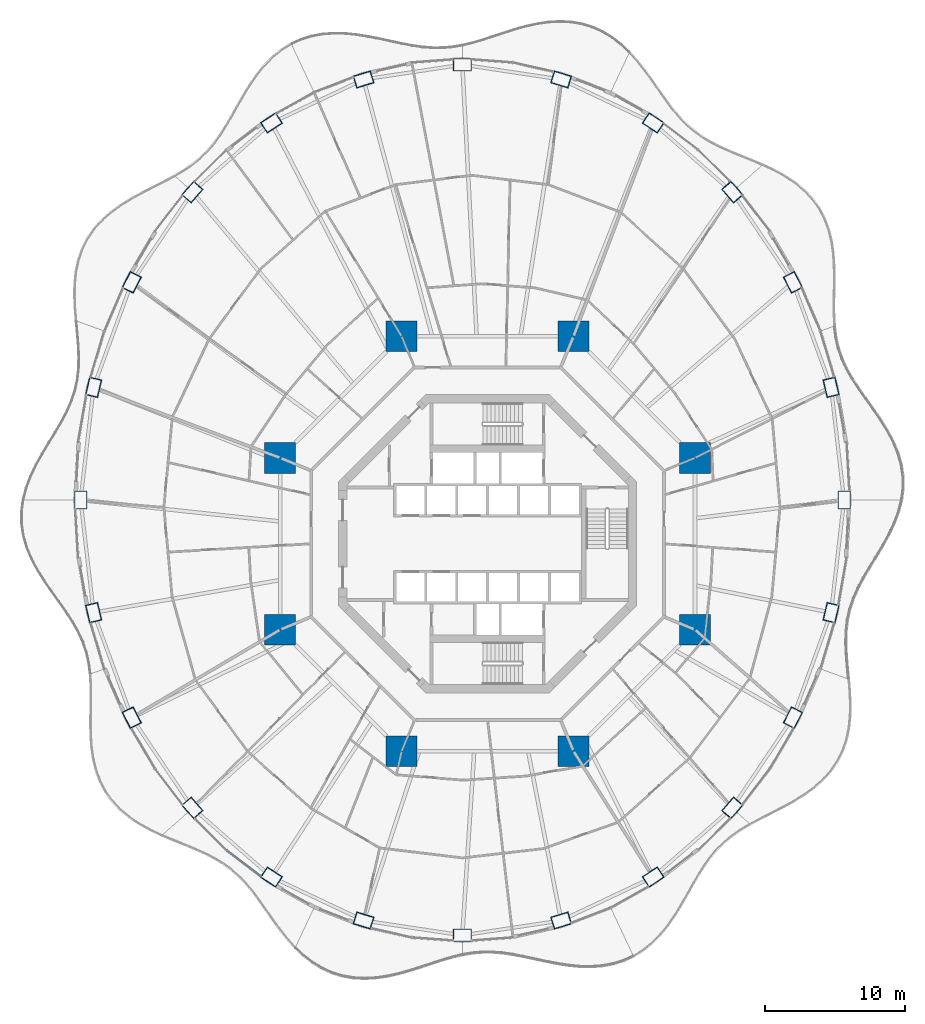
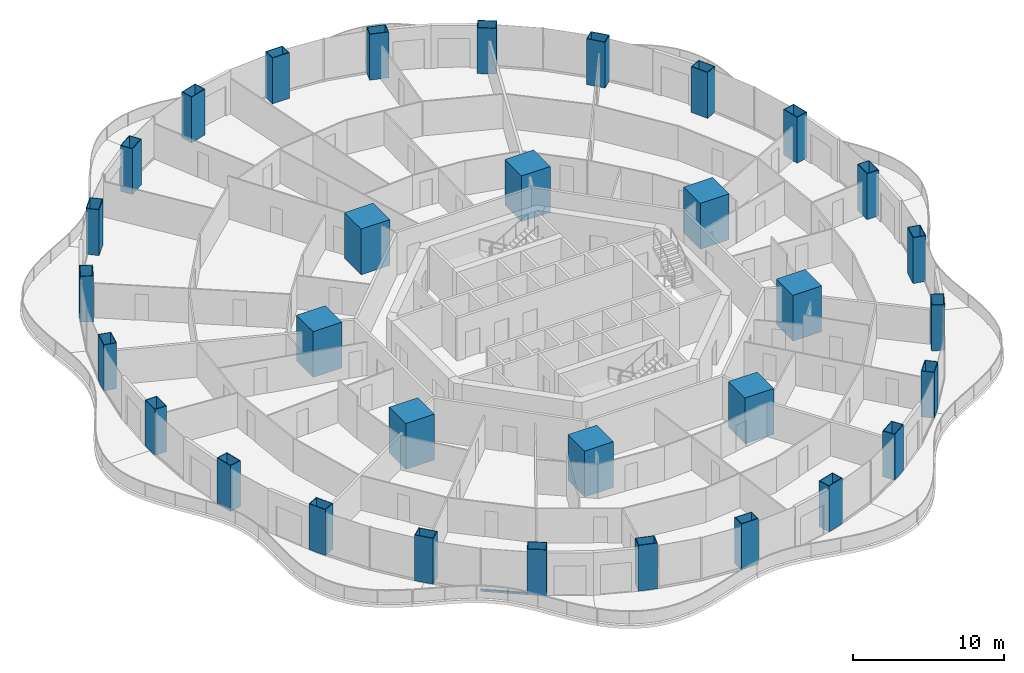
# One storey, part 1 of 22: 32 columns, 1 member, 1 element without a shape of its own.
"""IFC4 building model written with IfcOpenShell, lengths in metres."""

import ifcopenshell
import ifcopenshell.guid

model = None  # the IFC model being written
_history = None  # IfcOwnerHistory: only IFC2X3 demands one
_inside = {}  # id of a spatial element -> (the spatial element, [elements in it])
_under = {}  # id of a project, library or spatial element -> (it, [spatial elements below it])
_declared = {}  # id of a project -> (the project, [libraries it declares])
_typed = {}  # id of a type object -> (the type object, [elements of that type])
_made_of = {}  # id of a material, layer set ... -> (it, [elements and type objects made of it])


def new_model(schema):
    """Start an empty IFC model of exactly this schema.

    Asked for "IFC4X3", IfcOpenShell would pick the latest addendum, in which some entities
    have other attributes; the version numbers below select the first issue.
    IFC2X3 requires an IfcOwnerHistory on every rooted entity: one is made here for all.
    """
    global model, _history
    if schema == "IFC4X3":
        model = ifcopenshell.file(schema_version=(4, 3, 0, 0))
    else:
        model = ifcopenshell.file(schema=schema)
    _inside.clear()
    _under.clear()
    _declared.clear()
    _typed.clear()
    _made_of.clear()
    _history = None
    if model.schema == "IFC2X3":
        org = make("IfcOrganization", Name="unknown")
        user = make(
            "IfcPersonAndOrganization",
            ThePerson=make("IfcPerson", FamilyName="unknown"),
            TheOrganization=org,
        )
        app = make(
            "IfcApplication",
            ApplicationDeveloper=org,
            Version="unknown",
            ApplicationFullName="unknown",
            ApplicationIdentifier="unknown",
        )
        _history = make(
            "IfcOwnerHistory",
            OwningUser=user,
            OwningApplication=app,
            ChangeAction="ADDED",
            CreationDate=0,
        )
    return model


def make(cls, **values):
    """One entity of the class cls with the attributes given. An attribute that is None is left unset."""
    return model.create_entity(
        cls, **{name: value for name, value in values.items() if value is not None}
    )


def rooted(cls, **values):
    """An entity with a GlobalId (a new one), such as an element, a storey or a relation."""
    return make(cls, GlobalId=ifcopenshell.guid.new(), OwnerHistory=_history, **values)


def si_unit(unit_type, name, prefix=None):
    """IfcSIUnit, for example si_unit("LENGTHUNIT", "METRE", prefix="MILLI")."""
    return make("IfcSIUnit", UnitType=unit_type, Prefix=prefix, Name=name)


def assignment(units):
    """IfcUnitAssignment: the units of a project."""
    return None if units is None else make("IfcUnitAssignment", Units=units)


def point(xyz):
    """IfcCartesianPoint."""
    return None if xyz is None else make("IfcCartesianPoint", Coordinates=xyz)


def direction(xyz):
    """IfcDirection."""
    return None if xyz is None else make("IfcDirection", DirectionRatios=xyz)


def frame(location, z_axis=None, x_axis=None):
    """IfcAxis2Placement3D, a coordinate frame: its origin and axes. An axis left out is left unset."""
    return make(
        "IfcAxis2Placement3D",
        Location=point(location),
        Axis=direction(z_axis),
        RefDirection=direction(x_axis),
    )


def frame_2d(location, x_axis=None):
    """IfcAxis2Placement2D, a coordinate frame in the plane: its origin and x axis."""
    return make(
        "IfcAxis2Placement2D", Location=point(location), RefDirection=direction(x_axis)
    )


def origin():
    """The frame at (0, 0, 0) with its axes left unset."""
    return frame((0.0, 0.0, 0.0))


def origin_2d():
    """The frame at (0, 0) in the plane with its x axis left unset."""
    return frame_2d((0.0, 0.0))


def place(relative_to, where):
    """IfcLocalPlacement: puts the frame where relative to a parent placement (None: the world)."""
    return make(
        "IfcLocalPlacement", PlacementRelTo=relative_to, RelativePlacement=where
    )


def context(
    kind, dimensions, precision=None, world=None, true_north=None, identifier=None
):
    """IfcGeometricRepresentationContext, for example the 3D "Model" context."""
    return make(
        "IfcGeometricRepresentationContext",
        ContextIdentifier=identifier,
        ContextType=kind,
        CoordinateSpaceDimension=dimensions,
        Precision=precision,
        WorldCoordinateSystem=world,
        TrueNorth=true_north,
    )


def subcontext(parent, identifier, kind, view, scale=None):
    """IfcGeometricRepresentationSubContext, for example "Body" below "Model"."""
    return make(
        "IfcGeometricRepresentationSubContext",
        ContextIdentifier=identifier,
        ContextType=kind,
        ParentContext=parent,
        TargetScale=scale,
        TargetView=view,
    )


def project(units=None, contexts=None):
    """IfcProject with its units and contexts."""
    return rooted(
        "IfcProject",
        Name="project",
        RepresentationContexts=contexts,
        UnitsInContext=assignment(units),
    )


def spatial(cls, under=None, at=None, **own):
    """A site, building, storey or space (cls), placed at a placement, below another one or the project."""
    s = rooted(cls, ObjectPlacement=at, **own)
    if under is not None:
        _under.setdefault(under.id(), (under, []))[1].append(s)
    return s


def profile(cls, at=None, kind="AREA", **sizes):
    """A parametric profile (cls). Its sizes go by their IFC names, for example OverallWidth=200.0."""
    return make(cls, ProfileType=kind, Position=at, **sizes)


def rectangle(**sizes):
    """IfcRectangleProfileDef."""
    return profile("IfcRectangleProfileDef", **sizes)


def hollow_rectangle(**sizes):
    """IfcRectangleHollowProfileDef."""
    return profile("IfcRectangleHollowProfileDef", **sizes)


def extrude(swept, where, along, depth):
    """IfcExtrudedAreaSolid: the profile swept, set in the frame where, extruded along a direction by depth."""
    return make(
        "IfcExtrudedAreaSolid",
        SweptArea=swept,
        Position=where,
        ExtrudedDirection=direction(along),
        Depth=depth,
    )


def shape(context_of_items, identifier, shape_type, items):
    """IfcShapeRepresentation: the items that make up one representation, for example the "Body"."""
    return make(
        "IfcShapeRepresentation",
        ContextOfItems=context_of_items,
        RepresentationIdentifier=identifier,
        RepresentationType=shape_type,
        Items=items,
    )


def material(Name=None, Category=None):
    """IfcMaterial."""
    return make("IfcMaterial", Name=Name, Category=Category)


def layer(
    of_material, thickness, ventilated=None, Name=None, Category=None, Priority=None
):
    """IfcMaterialLayer: one layer of a wall or slab, of a material (None: an air gap)."""
    return make(
        "IfcMaterialLayer",
        Material=of_material,
        LayerThickness=thickness,
        IsVentilated=ventilated,
        Name=Name,
        Category=Category,
        Priority=Priority,
    )


def layer_set(layers, Name=None):
    """IfcMaterialLayerSet."""
    return make("IfcMaterialLayerSet", MaterialLayers=layers, LayerSetName=Name)


def material_profile(
    of_material, cross_section, Name=None, Category=None, Priority=None
):
    """IfcMaterialProfile: a cross section and its material."""
    return make(
        "IfcMaterialProfile",
        Name=Name,
        Material=of_material,
        Profile=cross_section,
        Priority=Priority,
        Category=Category,
    )


def profile_set(profiles, Name=None, composite=None):
    """IfcMaterialProfileSet."""
    return make(
        "IfcMaterialProfileSet",
        Name=Name,
        MaterialProfiles=profiles,
        CompositeProfile=composite,
    )


def made_of(thing, what):
    """Note that an element or type object is made of a material, layer set ...; save() writes the relation."""
    if what is not None:
        _made_of.setdefault(what.id(), (what, []))[1].append(thing)
    return thing


def type_object(cls, material=None, **own):
    """A type object (cls), such as IfcWallType, which elements share."""
    return made_of(rooted(cls, **own), material)


def element(
    cls,
    number,
    at=None,
    inside=None,
    cuts=None,
    type_object=None,
    material=None,
    context=None,
    identifier="Body",
    shape_type=None,
    held_by="IfcProductDefinitionShape",
    body=None,
    shapes=None,
    **own,
):
    """One element of the class cls, such as IfcWall. Its Tag is "e" and its number.

    at: its placement. inside: the storey or other place that contains it. cuts: it is an
    opening in that element (IfcRelVoidsElement). A single representation is given by context,
    identifier, shape_type and body (its items); several are given by shapes. held_by: the class
    of the entity that holds the representations. save() writes the other relations.
    """
    e = rooted(cls, Tag="e%d" % number, ObjectPlacement=at, **own)
    if body is not None:
        shapes = [shape(context, identifier, shape_type, body)]
    if shapes is not None:
        e.Representation = make(held_by, Representations=shapes)
    if inside is not None:
        _inside.setdefault(inside.id(), (inside, []))[1].append(e)
    if cuts is not None:
        rooted(
            "IfcRelVoidsElement", RelatingBuildingElement=cuts, RelatedOpeningElement=e
        )
    if type_object is not None:
        _typed.setdefault(type_object.id(), (type_object, []))[1].append(e)
    return made_of(e, material)


def aggregate(whole, parts):
    """IfcRelAggregates: a whole, such as a stair, and the parts it consists of."""
    return rooted("IfcRelAggregates", RelatingObject=whole, RelatedObjects=parts)


def save(model, path):
    """Write the relations noted so far, then the file.

    IfcRelAggregates (storeys below a building ...), IfcRelContainedInSpatialStructure (elements
    in a storey), IfcRelDefinesByType, IfcRelAssociatesMaterial and IfcRelDeclares: one each for
    every whole, place, type object, material and project.
    """
    for whole, parts in _under.values():
        aggregate(whole, parts)
    for where, things in _inside.values():
        rooted(
            "IfcRelContainedInSpatialStructure",
            RelatedElements=things,
            RelatingStructure=where,
        )
    for kind, things in _typed.values():
        rooted("IfcRelDefinesByType", RelatedObjects=things, RelatingType=kind)
    for what, things in _made_of.values():
        rooted("IfcRelAssociatesMaterial", RelatedObjects=things, RelatingMaterial=what)
    for by, libraries in _declared.values():
        rooted("IfcRelDeclares", RelatingContext=by, RelatedDefinitions=libraries)
    model.write(path)


model = new_model("IFC4")

# Units and contexts
model_context = context("Model", 3, precision=1e-05, world=origin(), true_north=direction((0.0, 1.0)))
body_context = subcontext(model_context, "Body", "Model", "MODEL_VIEW")
ifc_project = project(units=[si_unit("LENGTHUNIT", "METRE"), si_unit("AREAUNIT", "SQUARE_METRE"), si_unit("VOLUMEUNIT", "CUBIC_METRE"), si_unit("PLANEANGLEUNIT", "RADIAN"), si_unit("MASSUNIT", "GRAM", prefix="KILO")], contexts=[model_context])

# Site, building, storey
site_placement = place(None, origin())
site = spatial("IfcSite", under=ifc_project, at=site_placement, CompositionType="ELEMENT")
building_placement = place(site_placement, origin())
building = spatial("IfcBuilding", under=site, at=building_placement, Name="Nagisa Residences", CompositionType="ELEMENT")
storey_placement = place(building_placement, frame((0.0, 0.0, 91.800048828125)))
storey = spatial("IfcBuildingStorey", under=building, at=storey_placement, Name="L22", CompositionType="ELEMENT", Elevation=91.800048828125)

# Columns
ifc_material_1 = material(Name="Concrete C80", Category="concrete")
ifc_material_profile_1 = material_profile(ifc_material_1, rectangle(XDim=2.199951171875, YDim=2.199951171875, at=origin_2d()), Name="C80 2200x2200")
ifc_profile_set_1 = profile_set([ifc_material_profile_1], Name="Concrete C80")
column_type_1 = type_object("IfcColumnType", Name="Inner megacolumn C80 2200x2200", PredefinedType="COLUMN", material=ifc_profile_set_1)
for number, where, z_axis, x_axis, name in (
    (1, (14.781982421875, 6.123046875, 0.0), (0.0, 0.0, 1.0), (1.0, 0.0, 0.0), "col:L22:i1"),
    (2, (6.123046875, 14.781982421875, 0.0), (0.0, 0.0, 1.0), (1.0, 0.0, 0.0), "col:L22:i2"),
    (3, (-6.123046875, 14.781982421875, 0.0), (0.0, 0.0, 1.0), (1.0, 0.0, 0.0), "col:L22:i3"),
    (4, (-14.781982421875, 6.123046875, 0.0), (0.0, 0.0, 1.0), (1.0, 0.0, 0.0), "col:L22:i4"),
    (5, (-14.781982421875, -6.123046875, 0.0), (0.0, 0.0, 1.0), (1.0, 0.0, 0.0), "col:L22:i5"),
    (6, (-6.123046875, -14.781982421875, 0.0), (0.0, 0.0, 1.0), (1.0, 0.0, 0.0), "col:L22:i6"),
    (7, (6.123046875, -14.781982421875, 0.0), (0.0, 0.0, 1.0), (1.0, 0.0, 0.0), "col:L22:i7"),
    (8, (14.781982421875, -6.123046875, 0.0), (0.0, 0.0, 1.0), (1.0, 0.0, 0.0), "col:L22:i8"),
):
    element("IfcColumn", number, at=place(storey_placement, frame(where, z_axis=z_axis, x_axis=x_axis)), inside=storey, type_object=column_type_1, Name=name, PredefinedType="COLUMN", context=body_context, shape_type="SweptSolid", body=[
        extrude(rectangle(XDim=2.199951171875, YDim=2.199951171875, at=origin_2d()), origin(), (0.0, 0.0, 1.0), 3.699951171875),
    ])
ifc_material_2 = material(Name="Steel ASTM A572 Gr 50", Category="steel")
ifc_material_profile_2 = material_profile(ifc_material_2, hollow_rectangle(XDim=1.300048828125, YDim=0.89990234375, WallThickness=0.044921875, at=origin_2d()), Name="BX 1300x900x45")
ifc_profile_set_2 = profile_set([ifc_material_profile_2], Name="Steel ASTM A572 Gr 50")
column_type_2 = type_object("IfcColumnType", Name="Perimeter column BX 1300x900x45", PredefinedType="COLUMN", material=ifc_profile_set_2)
for number, where, z_axis, x_axis, name in (
    (9, (25.39501953125, 3.11767578125, 0.0), (0.0, 0.0, 1.0), (0.0, 1.0, 0.0), "col:L22:p00"),
    (10, (24.46826171875, 11.14501953125, 0.0), (0.0, 0.0, 1.0), (-0.229202013103, 0.973378876486, 0.0), "col:L22:p01"),
    (11, (21.75146484375, 18.625244140625, 0.0), (0.0, 0.0, 1.0), (-0.452462697578, 0.891783329795, 0.0), "col:L22:p02"),
    (12, (17.4296875, 25.048583984375, 0.0), (0.0, 0.0, 1.0), (-0.660114607735, 0.751164898445, 0.0), "col:L22:p03"),
    (13, (11.797607421875, 29.9775390625, 0.0), (0.0, 0.0, 1.0), (-0.835766105673, 0.54908561865, 0.0), "col:L22:p04"),
    (14, (5.238525390625, 33.075927734375, 0.0), (0.0, 0.0, 1.0), (-0.956524583408, 0.291651712384, 0.0), "col:L22:p05"),
    (15, (-1.800048828125, 34.1328125, 0.0), (0.0, 0.0, 1.0), (-1.0, 0.0, 0.0), "col:L22:p06"),
    (16, (-8.838623046875, 33.075927734375, 0.0), (0.0, 0.0, 1.0), (-0.956524583408, -0.291651712384, 0.0), "col:L22:p07"),
    (17, (-15.3974609375, 29.9775390625, 0.0), (0.0, 0.0, 1.0), (-0.835766105673, -0.54908561865, 0.0), "col:L22:p08"),
    (18, (-21.02978515625, 25.048583984375, 0.0), (0.0, 0.0, 1.0), (-0.660114607735, -0.751164898445, 0.0), "col:L22:p09"),
    (19, (-25.3515625, 18.625244140625, 0.0), (0.0, 0.0, 1.0), (-0.452462697578, -0.891783329795, 0.0), "col:L22:p10"),
    (20, (-28.068359375, 11.14501953125, 0.0), (0.0, 0.0, 1.0), (-0.229202013103, -0.973378876486, 0.0), "col:L22:p11"),
    (21, (-28.9951171875, 3.11767578125, 0.0), (0.0, 0.0, 1.0), (0.0, -1.0, 0.0), "col:L22:p12"),
    (22, (-28.068359375, -4.90966796875, 0.0), (0.0, 0.0, 1.0), (0.229202013103, -0.973378876486, 0.0), "col:L22:p13"),
    (23, (-25.3515625, -12.389892578125, 0.0), (0.0, 0.0, 1.0), (0.452462697578, -0.891783329795, 0.0), "col:L22:p14"),
    (24, (-21.02978515625, -18.813232421875, 0.0), (0.0, 0.0, 1.0), (0.660114607735, -0.751164898445, 0.0), "col:L22:p15"),
    (25, (-15.3974609375, -23.7421875, 0.0), (0.0, 0.0, 1.0), (0.835766105673, -0.54908561865, 0.0), "col:L22:p16"),
    (26, (-8.838623046875, -26.840576171875, 0.0), (0.0, 0.0, 1.0), (0.956524583408, -0.291651712384, 0.0), "col:L22:p17"),
    (27, (-1.800048828125, -27.897216796875, 0.0), (0.0, 0.0, 1.0), (1.0, 0.0, 0.0), "col:L22:p18"),
    (28, (5.238525390625, -26.840576171875, 0.0), (0.0, 0.0, 1.0), (0.956524583408, 0.291651712384, 0.0), "col:L22:p19"),
    (29, (11.797607421875, -23.7421875, 0.0), (0.0, 0.0, 1.0), (0.835766105673, 0.54908561865, 0.0), "col:L22:p20"),
    (30, (17.4296875, -18.813232421875, 0.0), (0.0, 0.0, 1.0), (0.660114607735, 0.751164898445, 0.0), "col:L22:p21"),
    (31, (21.75146484375, -12.389892578125, 0.0), (0.0, 0.0, 1.0), (0.452462697578, 0.891783329795, 0.0), "col:L22:p22"),
    (32, (24.46826171875, -4.90966796875, 0.0), (0.0, 0.0, 1.0), (0.229202013103, 0.973378876486, 0.0), "col:L22:p23"),
):
    element("IfcColumn", number, at=place(storey_placement, frame(where, z_axis=z_axis, x_axis=x_axis)), inside=storey, type_object=column_type_2, Name=name, PredefinedType="COLUMN", context=body_context, shape_type="SweptSolid", body=[
        extrude(hollow_rectangle(XDim=1.300048828125, YDim=0.89990234375, WallThickness=0.044921875, at=origin_2d()), origin(), (0.0, 0.0, 1.0), 3.699951171875),
    ])

# Curtain wall, member
ifc_material_3 = material(Name="Concrete-coloured aluminium curtain wall system", Category="concrete")
ifc_layer = layer(ifc_material_3, 0.159912109375)
ifc_layer_set = layer_set([ifc_layer], Name="CW1 CURTAIN WALL")
curtain_wall_type = type_object("IfcCurtainWallType", Name="CW1 CURTAIN WALL", PredefinedType="NOTDEFINED", material=ifc_layer_set)
curtain_wall_placement = place(storey_placement, origin())
curtain_wall = element("IfcCurtainWall", 33, at=curtain_wall_placement, inside=storey, type_object=curtain_wall_type, Name="cw:CW1:L22:31", PredefinedType="NOTDEFINED")
ifc_material_4 = material(Name="Concrete-coloured aluminium", Category="concrete")
ifc_material_profile_3 = material_profile(ifc_material_4, rectangle(XDim=0.1201171875, YDim=0.14990234375, at=origin_2d()), Name="CW1 TRANSOM 120x150")
ifc_profile_set_3 = profile_set([ifc_material_profile_3], Name="Concrete-coloured aluminium")
member_type = type_object("IfcMemberType", Name="CW1 TRANSOM 120x150", PredefinedType="USERDEFINED", material=ifc_profile_set_3)
member_placement = place(storey_placement, frame((-18.611328125, -21.821044921875, 0.074951171875), z_axis=(0.796028580718, -0.605259034365, 0.0), x_axis=(0.605259034365, 0.796028580718, 0.0)))
member = element("IfcMember", 34, at=member_placement, type_object=member_type, Name="CW1 transom", ObjectType="TRANSOM", PredefinedType="USERDEFINED", context=body_context, shape_type="SweptSolid", body=[
    extrude(rectangle(XDim=0.1201171875, YDim=0.14990234375, at=origin_2d()), origin(), (0.0, 0.0, 1.0), 3.134033203125),
])
aggregate(curtain_wall, [member])

save(model, "model.ifc")
